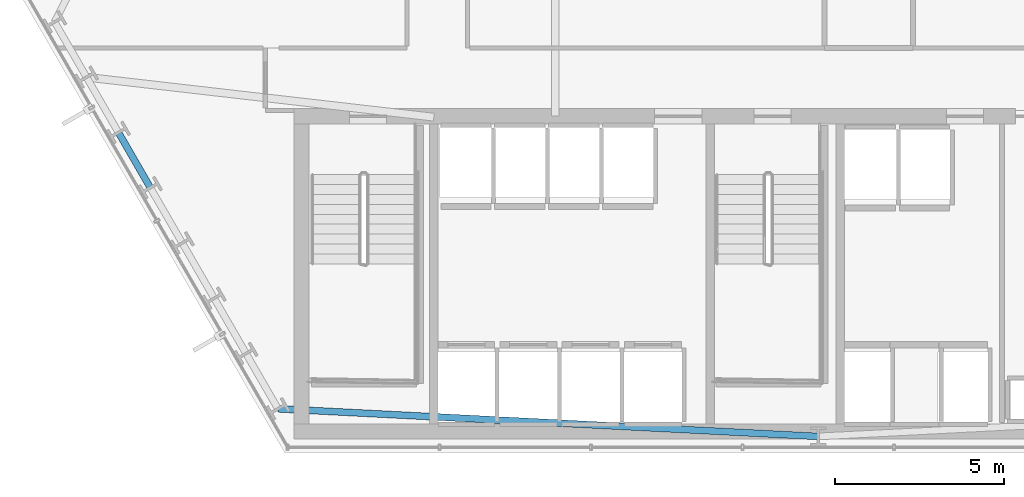
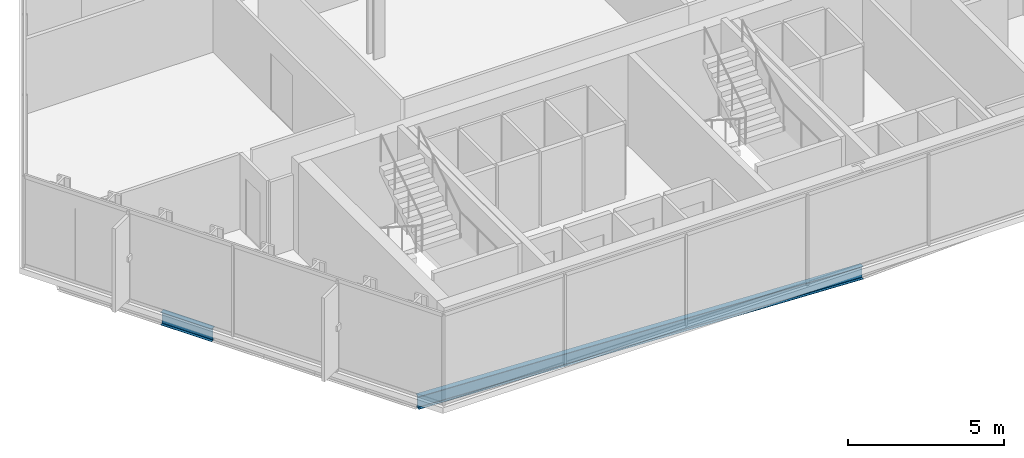
# One storey, part 4 of 32: 2 beams.
"""IFC4 building model written with IfcOpenShell, lengths in metres."""

import ifcopenshell
import ifcopenshell.guid

model = None  # the IFC model being written
_history = None  # IfcOwnerHistory: only IFC2X3 demands one
_inside = {}  # id of a spatial element -> (the spatial element, [elements in it])
_under = {}  # id of a project, library or spatial element -> (it, [spatial elements below it])
_declared = {}  # id of a project -> (the project, [libraries it declares])
_typed = {}  # id of a type object -> (the type object, [elements of that type])
_made_of = {}  # id of a material, layer set ... -> (it, [elements and type objects made of it])


def new_model(schema):
    """Start an empty IFC model of exactly this schema.

    Asked for "IFC4X3", IfcOpenShell would pick the latest addendum, in which some entities
    have other attributes; the version numbers below select the first issue.
    IFC2X3 requires an IfcOwnerHistory on every rooted entity: one is made here for all.
    """
    global model, _history
    if schema == "IFC4X3":
        model = ifcopenshell.file(schema_version=(4, 3, 0, 0))
    else:
        model = ifcopenshell.file(schema=schema)
    _inside.clear()
    _under.clear()
    _declared.clear()
    _typed.clear()
    _made_of.clear()
    _history = None
    if model.schema == "IFC2X3":
        org = make("IfcOrganization", Name="unknown")
        user = make(
            "IfcPersonAndOrganization",
            ThePerson=make("IfcPerson", FamilyName="unknown"),
            TheOrganization=org,
        )
        app = make(
            "IfcApplication",
            ApplicationDeveloper=org,
            Version="unknown",
            ApplicationFullName="unknown",
            ApplicationIdentifier="unknown",
        )
        _history = make(
            "IfcOwnerHistory",
            OwningUser=user,
            OwningApplication=app,
            ChangeAction="ADDED",
            CreationDate=0,
        )
    return model


def make(cls, **values):
    """One entity of the class cls with the attributes given. An attribute that is None is left unset."""
    return model.create_entity(
        cls, **{name: value for name, value in values.items() if value is not None}
    )


def rooted(cls, **values):
    """An entity with a GlobalId (a new one), such as an element, a storey or a relation."""
    return make(cls, GlobalId=ifcopenshell.guid.new(), OwnerHistory=_history, **values)


def si_unit(unit_type, name, prefix=None):
    """IfcSIUnit, for example si_unit("LENGTHUNIT", "METRE", prefix="MILLI")."""
    return make("IfcSIUnit", UnitType=unit_type, Prefix=prefix, Name=name)


def assignment(units):
    """IfcUnitAssignment: the units of a project."""
    return None if units is None else make("IfcUnitAssignment", Units=units)


def point(xyz):
    """IfcCartesianPoint."""
    return None if xyz is None else make("IfcCartesianPoint", Coordinates=xyz)


def direction(xyz):
    """IfcDirection."""
    return None if xyz is None else make("IfcDirection", DirectionRatios=xyz)


def frame(location, z_axis=None, x_axis=None):
    """IfcAxis2Placement3D, a coordinate frame: its origin and axes. An axis left out is left unset."""
    return make(
        "IfcAxis2Placement3D",
        Location=point(location),
        Axis=direction(z_axis),
        RefDirection=direction(x_axis),
    )


def frame_2d(location, x_axis=None):
    """IfcAxis2Placement2D, a coordinate frame in the plane: its origin and x axis."""
    return make(
        "IfcAxis2Placement2D", Location=point(location), RefDirection=direction(x_axis)
    )


def origin():
    """The frame at (0, 0, 0) with its axes left unset."""
    return frame((0.0, 0.0, 0.0))


def origin_2d():
    """The frame at (0, 0) in the plane with its x axis left unset."""
    return frame_2d((0.0, 0.0))


def place(relative_to, where):
    """IfcLocalPlacement: puts the frame where relative to a parent placement (None: the world)."""
    return make(
        "IfcLocalPlacement", PlacementRelTo=relative_to, RelativePlacement=where
    )


def context(
    kind, dimensions, precision=None, world=None, true_north=None, identifier=None
):
    """IfcGeometricRepresentationContext, for example the 3D "Model" context."""
    return make(
        "IfcGeometricRepresentationContext",
        ContextIdentifier=identifier,
        ContextType=kind,
        CoordinateSpaceDimension=dimensions,
        Precision=precision,
        WorldCoordinateSystem=world,
        TrueNorth=true_north,
    )


def subcontext(parent, identifier, kind, view, scale=None):
    """IfcGeometricRepresentationSubContext, for example "Body" below "Model"."""
    return make(
        "IfcGeometricRepresentationSubContext",
        ContextIdentifier=identifier,
        ContextType=kind,
        ParentContext=parent,
        TargetScale=scale,
        TargetView=view,
    )


def project(units=None, contexts=None):
    """IfcProject with its units and contexts."""
    return rooted(
        "IfcProject",
        Name="project",
        RepresentationContexts=contexts,
        UnitsInContext=assignment(units),
    )


def spatial(cls, under=None, at=None, **own):
    """A site, building, storey or space (cls), placed at a placement, below another one or the project."""
    s = rooted(cls, ObjectPlacement=at, **own)
    if under is not None:
        _under.setdefault(under.id(), (under, []))[1].append(s)
    return s


def profile(cls, at=None, kind="AREA", **sizes):
    """A parametric profile (cls). Its sizes go by their IFC names, for example OverallWidth=200.0."""
    return make(cls, ProfileType=kind, Position=at, **sizes)


def i_section(**sizes):
    """IfcIShapeProfileDef."""
    return profile("IfcIShapeProfileDef", **sizes)


def extrude(swept, where, along, depth):
    """IfcExtrudedAreaSolid: the profile swept, set in the frame where, extruded along a direction by depth."""
    return make(
        "IfcExtrudedAreaSolid",
        SweptArea=swept,
        Position=where,
        ExtrudedDirection=direction(along),
        Depth=depth,
    )


def shape(context_of_items, identifier, shape_type, items):
    """IfcShapeRepresentation: the items that make up one representation, for example the "Body"."""
    return make(
        "IfcShapeRepresentation",
        ContextOfItems=context_of_items,
        RepresentationIdentifier=identifier,
        RepresentationType=shape_type,
        Items=items,
    )


def material(Name=None, Category=None):
    """IfcMaterial."""
    return make("IfcMaterial", Name=Name, Category=Category)


def material_profile(
    of_material, cross_section, Name=None, Category=None, Priority=None
):
    """IfcMaterialProfile: a cross section and its material."""
    return make(
        "IfcMaterialProfile",
        Name=Name,
        Material=of_material,
        Profile=cross_section,
        Priority=Priority,
        Category=Category,
    )


def profile_set(profiles, Name=None, composite=None):
    """IfcMaterialProfileSet."""
    return make(
        "IfcMaterialProfileSet",
        Name=Name,
        MaterialProfiles=profiles,
        CompositeProfile=composite,
    )


def made_of(thing, what):
    """Note that an element or type object is made of a material, layer set ...; save() writes the relation."""
    if what is not None:
        _made_of.setdefault(what.id(), (what, []))[1].append(thing)
    return thing


def type_object(cls, material=None, **own):
    """A type object (cls), such as IfcWallType, which elements share."""
    return made_of(rooted(cls, **own), material)


def element(
    cls,
    number,
    at=None,
    inside=None,
    cuts=None,
    type_object=None,
    material=None,
    context=None,
    identifier="Body",
    shape_type=None,
    held_by="IfcProductDefinitionShape",
    body=None,
    shapes=None,
    **own,
):
    """One element of the class cls, such as IfcWall. Its Tag is "e" and its number.

    at: its placement. inside: the storey or other place that contains it. cuts: it is an
    opening in that element (IfcRelVoidsElement). A single representation is given by context,
    identifier, shape_type and body (its items); several are given by shapes. held_by: the class
    of the entity that holds the representations. save() writes the other relations.
    """
    e = rooted(cls, Tag="e%d" % number, ObjectPlacement=at, **own)
    if body is not None:
        shapes = [shape(context, identifier, shape_type, body)]
    if shapes is not None:
        e.Representation = make(held_by, Representations=shapes)
    if inside is not None:
        _inside.setdefault(inside.id(), (inside, []))[1].append(e)
    if cuts is not None:
        rooted(
            "IfcRelVoidsElement", RelatingBuildingElement=cuts, RelatedOpeningElement=e
        )
    if type_object is not None:
        _typed.setdefault(type_object.id(), (type_object, []))[1].append(e)
    return made_of(e, material)


def aggregate(whole, parts):
    """IfcRelAggregates: a whole, such as a stair, and the parts it consists of."""
    return rooted("IfcRelAggregates", RelatingObject=whole, RelatedObjects=parts)


def save(model, path):
    """Write the relations noted so far, then the file.

    IfcRelAggregates (storeys below a building ...), IfcRelContainedInSpatialStructure (elements
    in a storey), IfcRelDefinesByType, IfcRelAssociatesMaterial and IfcRelDeclares: one each for
    every whole, place, type object, material and project.
    """
    for whole, parts in _under.values():
        aggregate(whole, parts)
    for where, things in _inside.values():
        rooted(
            "IfcRelContainedInSpatialStructure",
            RelatedElements=things,
            RelatingStructure=where,
        )
    for kind, things in _typed.values():
        rooted("IfcRelDefinesByType", RelatedObjects=things, RelatingType=kind)
    for what, things in _made_of.values():
        rooted("IfcRelAssociatesMaterial", RelatedObjects=things, RelatingMaterial=what)
    for by, libraries in _declared.values():
        rooted("IfcRelDeclares", RelatingContext=by, RelatedDefinitions=libraries)
    model.write(path)


model = new_model("IFC4")

# Units and contexts
model_context = context("Model", 3, precision=1e-05, world=origin(), true_north=direction((0.0, 1.0)))
body_context = subcontext(model_context, "Body", "Model", "MODEL_VIEW")
ifc_project = project(units=[si_unit("LENGTHUNIT", "METRE"), si_unit("AREAUNIT", "SQUARE_METRE"), si_unit("VOLUMEUNIT", "CUBIC_METRE"), si_unit("PLANEANGLEUNIT", "RADIAN"), si_unit("MASSUNIT", "GRAM", prefix="KILO")], contexts=[model_context])

# Site, building, storey
site_placement = place(None, origin())
site = spatial("IfcSite", under=ifc_project, at=site_placement, CompositionType="ELEMENT")
building_placement = place(site_placement, origin())
building = spatial("IfcBuilding", under=site, at=building_placement, Name="Ndaravel Arena Tower", CompositionType="ELEMENT")
storey_placement = place(building_placement, frame((0.0, 0.0, 62.60009765625)))
storey = spatial("IfcBuildingStorey", under=building, at=storey_placement, Name="L13", CompositionType="ELEMENT", Elevation=62.60009765625)

# Beams
ifc_material = material(Name="Steel S355", Category="steel")
ifc_material_profile = material_profile(ifc_material, i_section(OverallWidth=0.199951171875, OverallDepth=0.5, WebThickness=0.01025390625, FlangeThickness=0.01611328125, FilletRadius=0.02099609375, at=origin_2d()), Name="IPE 500")
ifc_profile_set = profile_set([ifc_material_profile], Name="Steel S355")
beam_type = type_object("IfcBeamType", Name="BM-SPAN-IPE500", PredefinedType="SPANDREL", material=ifc_profile_set)
beam_1_placement = place(storey_placement, frame((21.244384765625, 14.495849609375, -0.47021484375), z_axis=(0.500064840575, -0.865987964824, 0.0), x_axis=(0.865987964824, 0.500064840575, 0.0)))
element("IfcBeam", 1, at=beam_1_placement, inside=storey, type_object=beam_type, Name="L13 Perimeter Spandrel Beam SP-22", PredefinedType="SPANDREL", context=body_context, shape_type="SweptSolid", body=[
    extrude(i_section(OverallWidth=0.199951171875, OverallDepth=0.5, WebThickness=0.01025390625, FlangeThickness=0.01611328125, FilletRadius=0.02099609375, at=origin_2d()), origin(), (0.0, 0.0, 1.0), 1.892822265625),
])
beam_2_placement = place(storey_placement, frame((25.9765625, 6.299560546875, -0.47021484375), z_axis=(0.998694459714, -0.051082052981, 0.0), x_axis=(0.051082052981, 0.998694459714, 0.0)))
element("IfcBeam", 2, at=beam_2_placement, inside=storey, type_object=beam_type, Name="L13 Perimeter Spandrel Beam SP-27", PredefinedType="SPANDREL", context=body_context, shape_type="SweptSolid", body=[
    extrude(i_section(OverallWidth=0.199951171875, OverallDepth=0.5, WebThickness=0.01025390625, FlangeThickness=0.01611328125, FilletRadius=0.02099609375, at=origin_2d()), origin(), (0.0, 0.0, 1.0), 16.04443359375),
])

save(model, "model.ifc")
